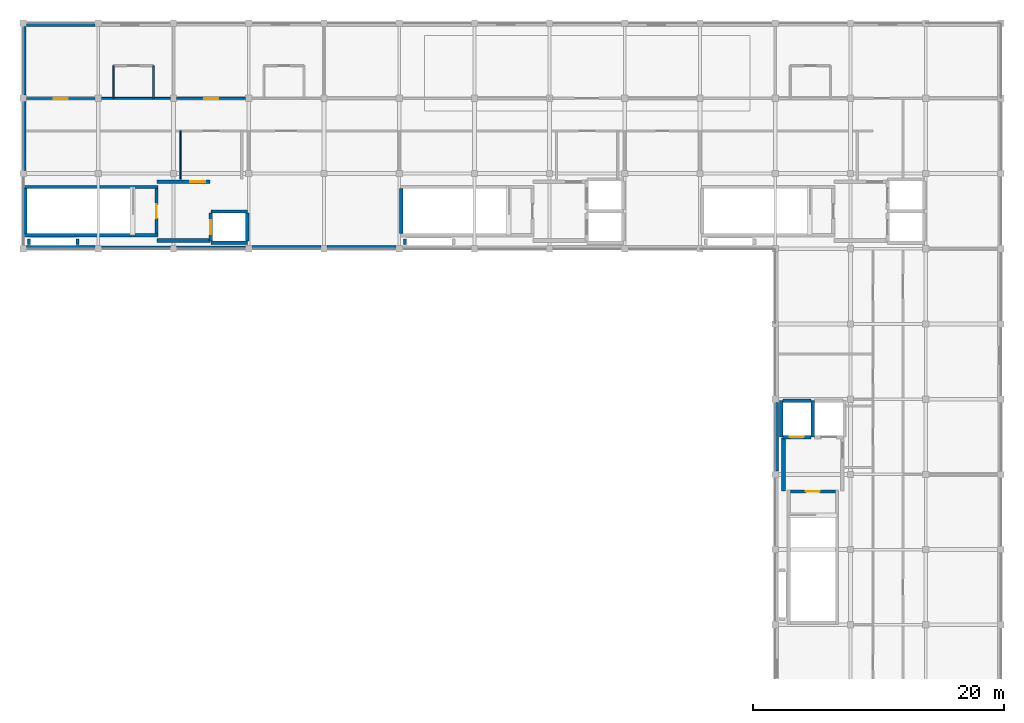
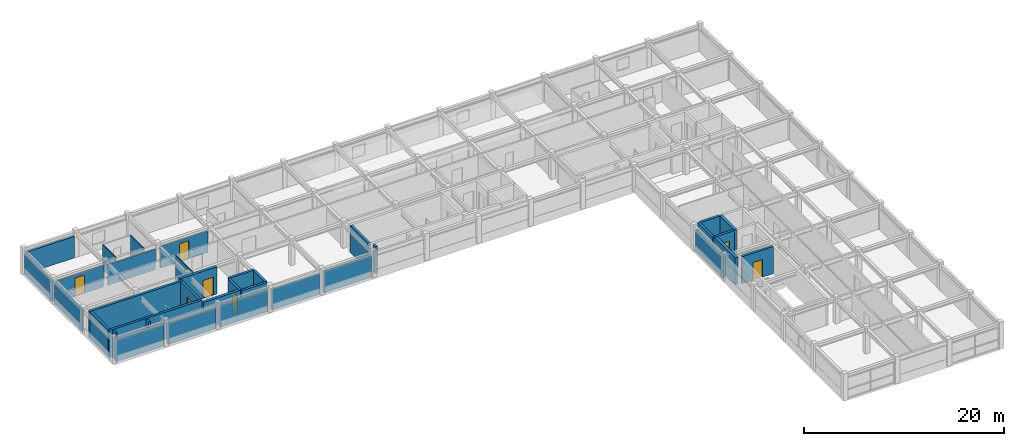
# One storey, part 6 of 11: 35 walls, 7 doors, 7 openings.
"""IFC4 building model written with IfcOpenShell, lengths in metres."""

from ifc_helpers import new_model, si_unit, direction, frame, frame_2d, origin, place, context, subcontext, project, spatial, rectangle, extrude, material, layer, layer_set, type_object, element, fill, save


model = new_model("IFC4")

# Units and contexts
model_context = context("Model", 3, precision=1e-05, world=origin(), true_north=direction((0.0, 1.0)))
body_context = subcontext(model_context, "Body", "Model", "MODEL_VIEW")
ifc_project = project(units=[si_unit("LENGTHUNIT", "METRE"), si_unit("AREAUNIT", "SQUARE_METRE"), si_unit("VOLUMEUNIT", "CUBIC_METRE"), si_unit("PLANEANGLEUNIT", "RADIAN"), si_unit("MASSUNIT", "GRAM", prefix="KILO"), si_unit("THERMODYNAMICTEMPERATUREUNIT", "KELVIN"), si_unit("POWERUNIT", "WATT")], contexts=[model_context])

# Site, building, storey
site_placement = place(None, origin())
site = spatial("IfcSite", under=ifc_project, at=site_placement, CompositionType="ELEMENT")
building_placement = place(site_placement, origin())
building = spatial("IfcBuilding", under=site, at=building_placement, Name="Phaisarnlok Congress Hotel", CompositionType="ELEMENT")
storey_placement = place(building_placement, frame((0.0, 0.0, 51.300048828125)))
storey = spatial("IfcBuildingStorey", under=building, at=storey_placement, Name="L13", CompositionType="ELEMENT", Elevation=51.300048828125)

# Walls
ifc_material_1 = material(Name="Concrete C40/50", Category="concrete")
ifc_layer_1 = layer(ifc_material_1, 0.2099609375, Name="Concrete C40/50")
ifc_layer_set_1 = layer_set([ifc_layer_1], Name="Concrete C40/50")
wall_type_1 = type_object("IfcWallType", Name="WL-EXT-210", PredefinedType="SOLIDWALL", material=ifc_layer_set_1)
wall_1_placement = place(storey_placement, frame((102.10498046875, 119.7451171875, 0.0), z_axis=(0.0, 0.0, 1.0), x_axis=(0.0, -1.0, 0.0)))
element("IfcWall", 1, at=wall_1_placement, inside=storey, type_object=wall_type_1, Name="Exterior wall EW-07 (L13)", PredefinedType="SOLIDWALL", context=body_context, shape_type="SweptSolid", body=[
    extrude(rectangle(XDim=5.490234375, YDim=0.2099609375, at=frame_2d((2.7451171875, 0.0))), origin(), (0.0, 0.0, 1.0), 2.60986328125),
])
wall_2_placement = place(storey_placement, frame((114.2548828125, 108.10498046875, 0.0), z_axis=(0.0, 0.0, 1.0), x_axis=(1.0, 0.0, 0.0)))
element("IfcWall", 2, at=wall_2_placement, inside=storey, type_object=wall_type_1, Name="Exterior wall EW-07 (L13)", PredefinedType="SOLIDWALL", context=body_context, shape_type="SweptSolid", body=[
    extrude(rectangle(XDim=5.490234375, YDim=0.2099609375, at=frame_2d((2.7451171875, 0.0))), origin(), (0.0, 0.0, 1.0), 2.619873046875),
])
ifc_layer_2 = layer(ifc_material_1, 0.22998046875, Name="Concrete C40/50")
ifc_layer_set_2 = layer_set([ifc_layer_2], Name="Concrete C40/50")
wall_type_2 = type_object("IfcWallType", Name="WL-EXT-230", PredefinedType="SOLIDWALL", material=ifc_layer_set_2)
wall_3_placement = place(storey_placement, frame((102.114990234375, 125.7451171875, 0.0), z_axis=(0.0, 0.0, 1.0), x_axis=(0.0, -1.0, 0.0)))
element("IfcWall", 3, at=wall_3_placement, inside=storey, type_object=wall_type_2, Name="Exterior wall EW-06 (L13)", PredefinedType="SOLIDWALL", context=body_context, shape_type="SweptSolid", body=[
    extrude(rectangle(XDim=5.490234375, YDim=0.22998046875, at=frame_2d((2.7451171875, 0.0))), origin(), (0.0, 0.0, 1.0), 2.4599609375),
])
wall_4_placement = place(storey_placement, frame((108.2548828125, 108.114990234375, 0.0), z_axis=(0.0, 0.0, 1.0), x_axis=(1.0, 0.0, 0.0)))
element("IfcWall", 4, at=wall_4_placement, inside=storey, type_object=wall_type_2, Name="Exterior wall EW-06 (L13)", PredefinedType="SOLIDWALL", context=body_context, shape_type="SweptSolid", body=[
    extrude(rectangle(XDim=5.490234375, YDim=0.22998046875, at=frame_2d((2.7451171875, 0.0))), origin(), (0.0, 0.0, 1.0), 2.510009765625),
])
ifc_layer_3 = layer(ifc_material_1, 0.25, Name="Concrete C40/50")
ifc_layer_set_3 = layer_set([ifc_layer_3], Name="Concrete C40/50")
wall_type_3 = type_object("IfcWallType", Name="WL-EXT-250", PredefinedType="SOLIDWALL", material=ifc_layer_set_3)
for number, where, z_axis, x_axis, name in (
    (5, (107.7451171875, 125.875, 0.0), (0.0, 0.0, 1.0), (-1.0, 0.0, 0.0), "Exterior wall EW-05 (L13)"),
    (6, (102.2548828125, 108.125, 0.0), (0.0, 0.0, 1.0), (1.0, 0.0, 0.0), "Exterior wall EW-05 (L13)"),
    (7, (126.2548828125, 108.125, 0.0), (0.0, 0.0, 1.0), (1.0, 0.0, 0.0), "Exterior wall EW-05 (L13)"),
):
    element("IfcWall", number, at=place(storey_placement, frame(where, z_axis=z_axis, x_axis=x_axis)), inside=storey, type_object=wall_type_3, Name=name, PredefinedType="SOLIDWALL", context=body_context, shape_type="SweptSolid", body=[
        extrude(rectangle(XDim=5.490234375, YDim=0.25, at=frame_2d((2.7451171875, 0.0))), origin(), (0.0, 0.0, 1.0), 2.619873046875),
    ])
wall_5_placement = place(storey_placement, frame((162.125, 95.7451171875, 0.0), z_axis=(0.0, 0.0, 1.0), x_axis=(0.0, -1.0, 0.0)))
element("IfcWall", 8, at=wall_5_placement, inside=storey, type_object=wall_type_3, Name="Exterior wall EW-05 (L13)", PredefinedType="SOLIDWALL", context=body_context, shape_type="SweptSolid", body=[
    extrude(rectangle(XDim=5.490234375, YDim=0.25, at=frame_2d((2.7451171875, 0.0))), origin(), (0.0, 0.0, 1.0), 2.60986328125),
])
ifc_layer_4 = layer(ifc_material_1, 0.27001953125, Name="Concrete C40/50")
ifc_layer_set_4 = layer_set([ifc_layer_4], Name="Concrete C40/50")
wall_type_4 = type_object("IfcWallType", Name="WL-EXT-270", PredefinedType="SOLIDWALL", material=ifc_layer_set_4)
wall_6_placement = place(storey_placement, frame((120.2548828125, 108.135009765625, 0.0), z_axis=(0.0, 0.0, 1.0), x_axis=(1.0, 0.0, 0.0)))
element("IfcWall", 9, at=wall_6_placement, inside=storey, type_object=wall_type_4, Name="Exterior wall EW-04 (L13)", PredefinedType="SOLIDWALL", context=body_context, shape_type="SweptSolid", body=[
    extrude(rectangle(XDim=5.490234375, YDim=0.27001953125, at=frame_2d((2.7451171875, 0.0))), origin(), (0.0, 0.0, 1.0), 2.510009765625),
])
ifc_material_2 = material(Name="Service Riser Shaftwall Partition", Category="gypsum")
ifc_layer_5 = layer(ifc_material_2, 0.10498046875, Name="Service Riser Shaftwall Partition")
ifc_layer_set_5 = layer_set([ifc_layer_5], Name="Service Riser Shaftwall Partition")
wall_type_5 = type_object("IfcWallType", Name="WL-INT-105", PredefinedType="PARTITIONING", material=ifc_layer_set_5)
wall_7_placement = place(storey_placement, frame((114.550048828125, 113.56005859375, 0.0), z_axis=(0.0, 0.0, 1.0), x_axis=(0.0, 1.0, 0.0)))
element("IfcWall", 10, at=wall_7_placement, inside=storey, type_object=wall_type_5, Name="Interior partition wall IW-08 (L13)", PredefinedType="PARTITIONING", context=body_context, shape_type="SweptSolid", body=[
    extrude(rectangle(XDim=3.83984375, YDim=0.10498046875, at=frame_2d((1.919921875, 0.0))), origin(), (0.0, 0.0, 1.0), 3.06005859375),
])
ifc_material_3 = material(Name="Lightweight Metal-Stud Gypsum Partition", Category="gypsum")
ifc_layer_6 = layer(ifc_material_3, 0.1201171875, Name="Lightweight Metal-Stud Gypsum Partition")
ifc_layer_set_6 = layer_set([ifc_layer_6], Name="Lightweight Metal-Stud Gypsum Partition")
wall_type_6 = type_object("IfcWallType", Name="WL-INT-120", PredefinedType="PARTITIONING", material=ifc_layer_set_6)
wall_8_placement = place(storey_placement, frame((109.199951171875, 120.0, 0.0), z_axis=(0.0, 0.0, 1.0), x_axis=(0.0, 1.0, 0.0)))
element("IfcWall", 11, at=wall_8_placement, inside=storey, type_object=wall_type_6, Name="Interior partition wall IW-07 (L13)", PredefinedType="PARTITIONING", context=body_context, shape_type="SweptSolid", body=[
    extrude(rectangle(XDim=2.60009765625, YDim=0.1201171875, at=frame_2d((1.300048828125, 0.0))), origin(), (0.0, 0.0, 1.0), 3.06005859375),
])
ifc_material_4 = material(Name="Moisture-Resistant Gypsum Partition", Category="gypsum")
ifc_layer_7 = layer(ifc_material_4, 0.135009765625, Name="Moisture-Resistant Gypsum Partition")
ifc_layer_set_7 = layer_set([ifc_layer_7], Name="Moisture-Resistant Gypsum Partition")
wall_type_7 = type_object("IfcWallType", Name="WL-INT-135", PredefinedType="PARTITIONING", material=ifc_layer_set_7)
wall_9_placement = place(storey_placement, frame((112.39990234375, 120.0, 0.0), z_axis=(0.0, 0.0, 1.0), x_axis=(0.0, 1.0, 0.0)))
element("IfcWall", 12, at=wall_9_placement, inside=storey, type_object=wall_type_7, Name="Interior partition wall IW-06 (L13)", PredefinedType="PARTITIONING", context=body_context, shape_type="SweptSolid", body=[
    extrude(rectangle(XDim=2.60009765625, YDim=0.135009765625, at=frame_2d((1.300048828125, 0.0))), origin(), (0.0, 0.0, 1.0), 3.06005859375),
])
ifc_material_5 = material(Name="Acoustic Gypsum Board & Mineral Wool", Category="gypsum")
ifc_layer_8 = layer(ifc_material_5, 0.14990234375, Name="Acoustic Gypsum Board & Mineral Wool")
ifc_layer_set_8 = layer_set([ifc_layer_8], Name="Acoustic Gypsum Board & Mineral Wool")
wall_type_8 = type_object("IfcWallType", Name="WL-INT-150", PredefinedType="PARTITIONING", material=ifc_layer_set_8)
wall_10_placement = place(storey_placement, frame((108.2548828125, 120.0, 0.0), z_axis=(0.0, 0.0, 1.0), x_axis=(1.0, 0.0, 0.0)))
element("IfcWall", 13, at=wall_10_placement, inside=storey, type_object=wall_type_8, Name="Interior partition wall IW-05 (L13)", PredefinedType="PARTITIONING", context=body_context, shape_type="SweptSolid", body=[
    extrude(rectangle(XDim=5.490234375, YDim=0.14990234375, at=frame_2d((2.7451171875, 0.0))), origin(), (0.0, 0.0, 1.0), 2.510009765625),
])

# Wall, opening, door
ifc_material_6 = material(Name="Double-Stud Acoustic Gypsum Partition", Category="gypsum")
ifc_layer_9 = layer(ifc_material_6, 0.159912109375, Name="Double-Stud Acoustic Gypsum Partition")
ifc_layer_set_9 = layer_set([ifc_layer_9], Name="Double-Stud Acoustic Gypsum Partition")
wall_type_9 = type_object("IfcWallType", Name="WL-INT-160", PredefinedType="PARTITIONING", material=ifc_layer_set_9)
wall_11_placement = place(storey_placement, frame((102.280029296875, 120.0, 0.0), z_axis=(0.0, 0.0, 1.0), x_axis=(1.0, 0.0, 0.0)))
wall_11 = element("IfcWall", 14, at=wall_11_placement, inside=storey, type_object=wall_type_9, Name="Interior partition wall IW-04 (L13)", PredefinedType="PARTITIONING", context=body_context, shape_type="SweptSolid", body=[
    extrude(rectangle(XDim=5.465087890625, YDim=0.159912109375, at=frame_2d((2.732421875, 0.0))), origin(), (0.0, 0.0, 1.0), 2.619873046875),
])
opening_1_placement = place(wall_11_placement, frame((2.169921875, 0.0, 0.0)))
opening_1 = element("IfcOpeningElement", 15, at=opening_1_placement, cuts=wall_11, Name="Opening D-0728", PredefinedType="OPENING", context=body_context, shape_type="SweptSolid", body=[
    extrude(rectangle(XDim=1.10009765625, YDim=2.199951171875, at=frame_2d((0.550048828125, 1.10009765625))), frame((0.0, 0.08984375, 0.0), z_axis=(0.0, -1.0, 0.0), x_axis=(1.0, 0.0, 0.0)), (0.0, 0.0, 1.0), 0.179931640625),
])
ifc_material_7 = material(Name="Acoustic Solid-Core Teak Veneer", Category="wood")
door_type_1 = type_object("IfcDoorType", Name="DR-FD30-1100", OperationType="NOTDEFINED", PredefinedType="DOOR", material=ifc_material_7)
door_1_placement = place(opening_1_placement, origin())
door_1 = element("IfcDoor", 16, at=door_1_placement, inside=storey, type_object=door_type_1, Name="Interior door D-0728 (L13)", OperationType="SINGLE_SWING_LEFT", OverallHeight=2.199951171875, OverallWidth=1.10009765625, PredefinedType="DOOR", context=body_context, shape_type="SweptSolid", body=[
    extrude(rectangle(XDim=1.10009765625, YDim=2.199951171875, at=frame_2d((0.550048828125, 1.10009765625))), frame((0.0, 0.02490234375, 0.0), z_axis=(0.0, -1.0, 0.0), x_axis=(1.0, 0.0, 0.0)), (0.0, 0.0, 1.0), 0.050048828125),
])
fill(opening_1, door_1)

ifc_material_8 = material(Name="Autoclaved Aerated Concrete Block", Category="concrete")
ifc_layer_10 = layer(ifc_material_8, 0.199951171875, Name="Autoclaved Aerated Concrete Block")
ifc_layer_set_10 = layer_set([ifc_layer_10], Name="Autoclaved Aerated Concrete Block")
wall_type_10 = type_object("IfcWallType", Name="WL-INT-200", PredefinedType="PARTITIONING", material=ifc_layer_set_10)
wall_12_placement = place(storey_placement, frame((114.2548828125, 120.0, 0.0), z_axis=(0.0, 0.0, 1.0), x_axis=(1.0, 0.0, 0.0)))
wall_12 = element("IfcWall", 17, at=wall_12_placement, inside=storey, type_object=wall_type_10, Name="Interior partition wall IW-02 (L13)", PredefinedType="PARTITIONING", context=body_context, shape_type="SweptSolid", body=[
    extrude(rectangle(XDim=5.490234375, YDim=0.199951171875, at=frame_2d((2.7451171875, 0.0))), origin(), (0.0, 0.0, 1.0), 2.619873046875),
])
opening_2_placement = place(wall_12_placement, frame((2.195068359375, 0.0, 0.0)))
opening_2 = element("IfcOpeningElement", 18, at=opening_2_placement, cuts=wall_12, Name="Opening D-0730", PredefinedType="OPENING", context=body_context, shape_type="SweptSolid", body=[
    extrude(rectangle(XDim=1.10009765625, YDim=2.199951171875, at=frame_2d((0.550048828125, 1.10009765625))), frame((0.0, 0.10986328125, 0.0), z_axis=(0.0, -1.0, 0.0), x_axis=(1.0, 0.0, 0.0)), (0.0, 0.0, 1.0), 0.219970703125),
])
door_2_placement = place(opening_2_placement, origin())
door_2 = element("IfcDoor", 19, at=door_2_placement, inside=storey, type_object=door_type_1, Name="Interior door D-0730 (L13)", OperationType="SINGLE_SWING_LEFT", OverallHeight=2.199951171875, OverallWidth=1.10009765625, PredefinedType="DOOR", context=body_context, shape_type="SweptSolid", body=[
    extrude(rectangle(XDim=1.10009765625, YDim=2.199951171875, at=frame_2d((0.550048828125, 1.10009765625))), frame((0.0, 0.02490234375, 0.0), z_axis=(0.0, -1.0, 0.0), x_axis=(1.0, 0.0, 0.0)), (0.0, 0.0, 1.0), 0.050048828125),
])
fill(opening_2, door_2)

# Walls
ifc_material_9 = material(Name="Concrete C50/60", Category="concrete")
ifc_layer_11 = layer(ifc_material_9, 0.260009765625, Name="Concrete C50/60")
ifc_layer_set_11 = layer_set([ifc_layer_11], Name="Concrete C50/60")
wall_type_11 = type_object("IfcWallType", Name="WL-SHR-260", PredefinedType="SHEAR", material=ifc_layer_set_11)
wall_13_placement = place(storey_placement, frame((132.169921875, 109.199951171875, 0.0), z_axis=(0.0, 0.0, 1.0), x_axis=(0.0, 1.0, 0.0)))
element("IfcWall", 20, at=wall_13_placement, inside=storey, type_object=wall_type_11, Name="Stair shaft shear wall SW-04 (CORE-2 L13)", PredefinedType="SHEAR", context=body_context, shape_type="SweptSolid", body=[
    extrude(rectangle(XDim=3.60009765625, YDim=0.260009765625, at=frame_2d((1.800048828125, 0.0))), origin(), (0.0, 0.0, 1.0), 3.300048828125),
])
wall_14_placement = place(storey_placement, frame((132.469970703125, 108.330078125, 0.0), z_axis=(0.0, 0.0, 1.0), x_axis=(0.0, 1.0, 0.0)))
element("IfcWall", 21, at=wall_14_placement, inside=storey, type_object=wall_type_11, Name="Service riser shaft wall SW-04 (CORE-2 L13)", PredefinedType="SHEAR", context=body_context, shape_type="SweptSolid", body=[
    extrude(rectangle(XDim=0.43994140625, YDim=0.260009765625, at=frame_2d((0.219970703125, 0.0))), origin(), (0.0, 0.0, 1.0), 3.300048828125),
])

# Wall, opening, door
wall_15_placement = place(storey_placement, frame((163.199951171875, 88.6298828125, 0.0), z_axis=(0.0, 0.0, 1.0), x_axis=(1.0, 0.0, 0.0)))
wall_15 = element("IfcWall", 22, at=wall_15_placement, inside=storey, type_object=wall_type_11, Name="Stair shaft shear wall SW-04 (CORE-3 L13)", PredefinedType="SHEAR", context=body_context, shape_type="SweptSolid", body=[
    extrude(rectangle(XDim=3.60009765625, YDim=0.260009765625, at=frame_2d((1.800048828125, 0.0))), origin(), (0.0, 0.0, 1.0), 3.300048828125),
])
opening_3_placement = place(wall_15_placement, frame((1.25, 0.0, 0.0)))
opening_3 = element("IfcOpeningElement", 23, at=opening_3_placement, cuts=wall_15, Name="Opening FD-075", PredefinedType="OPENING", context=body_context, shape_type="SweptSolid", body=[
    extrude(rectangle(XDim=1.10009765625, YDim=2.14990234375, at=frame_2d((0.550048828125, 1.074951171875))), frame((0.0, 0.14013671875, 0.0), z_axis=(0.0, -1.0, 0.0), x_axis=(1.0, 0.0, 0.0)), (0.0, 0.0, 1.0), 0.280029296875),
])
ifc_material_10 = material(Name="Fire-Rated Steel Frame & Timber Leaf", Category="steel")
door_type_2 = type_object("IfcDoorType", Name="DR-FD60-1100", OperationType="NOTDEFINED", PredefinedType="DOOR", material=ifc_material_10)
door_3_placement = place(opening_3_placement, origin())
door_3 = element("IfcDoor", 24, at=door_3_placement, inside=storey, type_object=door_type_2, Name="Stair enclosure fire door FD-075 (L13)", OperationType="SINGLE_SWING_RIGHT", OverallHeight=2.14990234375, OverallWidth=1.10009765625, PredefinedType="DOOR", context=body_context, shape_type="SweptSolid", body=[
    extrude(rectangle(XDim=1.10009765625, YDim=2.14990234375, at=frame_2d((0.550048828125, 1.074951171875))), frame((0.0, 0.02490234375, 0.0), z_axis=(0.0, -1.0, 0.0), x_axis=(1.0, 0.0, 0.0)), (0.0, 0.0, 1.0), 0.050048828125),
])
fill(opening_3, door_3)

# Walls
wall_16_placement = place(storey_placement, frame((162.469970703125, 92.969970703125, 0.0), z_axis=(0.0, 0.0, 1.0), x_axis=(0.0, 1.0, 0.0)))
element("IfcWall", 25, at=wall_16_placement, inside=storey, type_object=wall_type_11, Name="Lift shaft shear wall SW-04 (LF-HP3 L13)", PredefinedType="SHEAR", context=body_context, shape_type="SweptSolid", body=[
    extrude(rectangle(XDim=2.909912109375, YDim=0.260009765625, at=frame_2d((1.455078125, 0.0))), origin(), (0.0, 0.0, 1.0), 3.300048828125),
])
wall_17_placement = place(storey_placement, frame((162.60009765625, 95.8798828125, 0.0), z_axis=(0.0, 0.0, 1.0), x_axis=(1.0, 0.0, 0.0)))
element("IfcWall", 26, at=wall_17_placement, inside=storey, type_object=wall_type_11, Name="Lift shaft shear wall SW-04 (LF-HP3 L13)", PredefinedType="SHEAR", context=body_context, shape_type="SweptSolid", body=[
    extrude(rectangle(XDim=2.25, YDim=0.260009765625, at=frame_2d((1.125, 0.0))), origin(), (0.0, 0.0, 1.0), 3.300048828125),
])

# Wall, opening, door
wall_18_placement = place(storey_placement, frame((162.60009765625, 92.969970703125, 0.0), z_axis=(0.0, 0.0, 1.0), x_axis=(1.0, 0.0, 0.0)))
wall_18 = element("IfcWall", 27, at=wall_18_placement, inside=storey, type_object=wall_type_11, Name="Lift shaft front wall SW-04 (LF-HP3 L13)", PredefinedType="SHEAR", context=body_context, shape_type="SweptSolid", body=[
    extrude(rectangle(XDim=2.25, YDim=0.260009765625, at=frame_2d((1.125, 0.0))), origin(), (0.0, 0.0, 1.0), 3.300048828125),
])
opening_4_placement = place(wall_18_placement, frame((0.574951171875, 0.0, 0.0)))
opening_4 = element("IfcOpeningElement", 28, at=opening_4_placement, cuts=wall_18, Name="Opening LD-075", PredefinedType="OPENING", context=body_context, shape_type="SweptSolid", body=[
    extrude(rectangle(XDim=1.10009765625, YDim=2.199951171875, at=frame_2d((0.550048828125, 1.10009765625))), frame((0.0, 0.14013671875, 0.0), z_axis=(0.0, -1.0, 0.0), x_axis=(1.0, 0.0, 0.0)), (0.0, 0.0, 1.0), 0.280029296875),
])
ifc_material_11 = material(Name="Brushed Stainless Steel Grade 304", Category="steel")
door_type_3 = type_object("IfcDoorType", Name="DR-LD-1100", OperationType="DOUBLE_DOOR_SLIDING", PredefinedType="DOOR", material=ifc_material_11)
door_4_placement = place(opening_4_placement, origin())
door_4 = element("IfcDoor", 29, at=door_4_placement, inside=storey, type_object=door_type_3, Name="Lift landing sliding door LD-075 (LF-HP3 L13)", OperationType="DOUBLE_DOOR_SLIDING", OverallHeight=2.199951171875, OverallWidth=1.10009765625, PredefinedType="DOOR", context=body_context, shape_type="SweptSolid", body=[
    extrude(rectangle(XDim=1.10009765625, YDim=2.199951171875, at=frame_2d((0.550048828125, 1.10009765625))), frame((0.0, 0.02490234375, 0.0), z_axis=(0.0, -1.0, 0.0), x_axis=(1.0, 0.0, 0.0)), (0.0, 0.0, 1.0), 0.050048828125),
])
fill(opening_4, door_4)

# Walls
for number, where, z_axis, x_axis, name in (
    (30, (102.0400390625, 109.070068359375, 0.0), (0.0, 0.0, 1.0), (1.0, 0.0, 0.0), "Stair shaft shear wall SW-04 (CORE-4 L13)"),
    (31, (102.0400390625, 112.929931640625, 0.0), (0.0, 0.0, 1.0), (1.0, 0.0, 0.0), "Stair shaft shear wall SW-04 (CORE-4 L13)"),
):
    element("IfcWall", number, at=place(storey_placement, frame(where, z_axis=z_axis, x_axis=x_axis)), inside=storey, type_object=wall_type_11, Name=name, PredefinedType="SHEAR", context=body_context, shape_type="SweptSolid", body=[
        extrude(rectangle(XDim=10.719970703125, YDim=0.260009765625, at=frame_2d((5.35986328125, 0.0))), origin(), (0.0, 0.0, 1.0), 3.300048828125),
    ])

# Wall, opening, door
wall_19_placement = place(storey_placement, frame((112.6298828125, 109.199951171875, 0.0), z_axis=(0.0, 0.0, 1.0), x_axis=(0.0, 1.0, 0.0)))
wall_19 = element("IfcWall", 32, at=wall_19_placement, inside=storey, type_object=wall_type_11, Name="Stair shaft shear wall SW-04 (CORE-4 L13)", PredefinedType="SHEAR", context=body_context, shape_type="SweptSolid", body=[
    extrude(rectangle(XDim=3.60009765625, YDim=0.260009765625, at=frame_2d((1.800048828125, 0.0))), origin(), (0.0, 0.0, 1.0), 3.300048828125),
])
opening_5_placement = place(wall_19_placement, frame((1.25, 0.0, 0.0)))
opening_5 = element("IfcOpeningElement", 33, at=opening_5_placement, cuts=wall_19, Name="Opening FD-105", PredefinedType="OPENING", context=body_context, shape_type="SweptSolid", body=[
    extrude(rectangle(XDim=1.10009765625, YDim=2.14990234375, at=frame_2d((0.550048828125, 1.074951171875))), frame((0.0, 0.14013671875, 0.0), z_axis=(0.0, -1.0, 0.0), x_axis=(1.0, 0.0, 0.0)), (0.0, 0.0, 1.0), 0.280029296875),
])
door_5_placement = place(opening_5_placement, origin())
door_5 = element("IfcDoor", 34, at=door_5_placement, inside=storey, type_object=door_type_2, Name="Stair enclosure fire door FD-105 (L13)", OperationType="SINGLE_SWING_RIGHT", OverallHeight=2.14990234375, OverallWidth=1.10009765625, PredefinedType="DOOR", context=body_context, shape_type="SweptSolid", body=[
    extrude(rectangle(XDim=1.10009765625, YDim=2.14990234375, at=frame_2d((0.550048828125, 1.074951171875))), frame((0.0, 0.02490234375, 0.0), z_axis=(0.0, -1.0, 0.0), x_axis=(1.0, 0.0, 0.0)), (0.0, 0.0, 1.0), 0.050048828125),
])
fill(opening_5, door_5)

# Walls
for number, where, z_axis, x_axis, name in (
    (35, (116.969970703125, 108.469970703125, 0.0), (0.0, 0.0, 1.0), (1.0, 0.0, 0.0), "Lift shaft shear wall SW-04 (LF-HP4 L13)"),
    (36, (116.969970703125, 110.97998046875, 0.0), (0.0, 0.0, 1.0), (1.0, 0.0, 0.0), "Lift shaft shear wall SW-04 (LF-HP4 L13)"),
):
    element("IfcWall", number, at=place(storey_placement, frame(where, z_axis=z_axis, x_axis=x_axis)), inside=storey, type_object=wall_type_11, Name=name, PredefinedType="SHEAR", context=body_context, shape_type="SweptSolid", body=[
        extrude(rectangle(XDim=2.909912109375, YDim=0.260009765625, at=frame_2d((1.455078125, 0.0))), origin(), (0.0, 0.0, 1.0), 3.300048828125),
    ])
wall_20_placement = place(storey_placement, frame((119.8798828125, 108.60009765625, 0.0), z_axis=(0.0, 0.0, 1.0), x_axis=(0.0, 1.0, 0.0)))
element("IfcWall", 37, at=wall_20_placement, inside=storey, type_object=wall_type_11, Name="Lift shaft shear wall SW-04 (LF-HP4 L13)", PredefinedType="SHEAR", context=body_context, shape_type="SweptSolid", body=[
    extrude(rectangle(XDim=2.25, YDim=0.260009765625, at=frame_2d((1.125, 0.0))), origin(), (0.0, 0.0, 1.0), 3.300048828125),
])

# Wall, opening, door
wall_21_placement = place(storey_placement, frame((116.969970703125, 108.60009765625, 0.0), z_axis=(0.0, 0.0, 1.0), x_axis=(0.0, 1.0, 0.0)))
wall_21 = element("IfcWall", 38, at=wall_21_placement, inside=storey, type_object=wall_type_11, Name="Lift shaft front wall SW-04 (LF-HP4 L13)", PredefinedType="SHEAR", context=body_context, shape_type="SweptSolid", body=[
    extrude(rectangle(XDim=2.25, YDim=0.260009765625, at=frame_2d((1.125, 0.0))), origin(), (0.0, 0.0, 1.0), 3.300048828125),
])
opening_6_placement = place(wall_21_placement, frame((0.574951171875, 0.0, 0.0)))
opening_6 = element("IfcOpeningElement", 39, at=opening_6_placement, cuts=wall_21, Name="Opening LD-105", PredefinedType="OPENING", context=body_context, shape_type="SweptSolid", body=[
    extrude(rectangle(XDim=1.10009765625, YDim=2.199951171875, at=frame_2d((0.550048828125, 1.10009765625))), frame((0.0, 0.14013671875, 0.0), z_axis=(0.0, -1.0, 0.0), x_axis=(1.0, 0.0, 0.0)), (0.0, 0.0, 1.0), 0.280029296875),
])
door_6_placement = place(opening_6_placement, origin())
door_6 = element("IfcDoor", 40, at=door_6_placement, inside=storey, type_object=door_type_3, Name="Lift landing sliding door LD-105 (LF-HP4 L13)", OperationType="DOUBLE_DOOR_SLIDING", OverallHeight=2.199951171875, OverallWidth=1.10009765625, PredefinedType="DOOR", context=body_context, shape_type="SweptSolid", body=[
    extrude(rectangle(XDim=1.10009765625, YDim=2.199951171875, at=frame_2d((0.550048828125, 1.10009765625))), frame((0.0, 0.02490234375, 0.0), z_axis=(0.0, -1.0, 0.0), x_axis=(1.0, 0.0, 0.0)), (0.0, 0.0, 1.0), 0.050048828125),
])
fill(opening_6, door_6)

# Walls
for number, where, z_axis, x_axis, name in (
    (41, (102.469970703125, 108.330078125, 0.0), (0.0, 0.0, 1.0), (0.0, 1.0, 0.0), "Service riser shaft wall SW-04 (CORE-4 L13)"),
    (42, (106.330078125, 108.330078125, 0.0), (0.0, 0.0, 1.0), (0.0, 1.0, 0.0), "Service riser shaft wall SW-04 (CORE-4 L13)"),
):
    element("IfcWall", number, at=place(storey_placement, frame(where, z_axis=z_axis, x_axis=x_axis)), inside=storey, type_object=wall_type_11, Name=name, PredefinedType="SHEAR", context=body_context, shape_type="SweptSolid", body=[
        extrude(rectangle(XDim=0.43994140625, YDim=0.260009765625, at=frame_2d((0.219970703125, 0.0))), origin(), (0.0, 0.0, 1.0), 3.300048828125),
    ])
ifc_layer_12 = layer(ifc_material_9, 0.260009765625, Name="Concrete C50/60")
ifc_layer_set_12 = layer_set([ifc_layer_12], Name="Concrete C50/60")
wall_type_12 = type_object("IfcWallType", Name="WL-SHR-260-EXT", PredefinedType="SHEAR", material=ifc_layer_set_12)
wall_22_placement = place(storey_placement, frame((102.169921875, 109.199951171875, 0.0), z_axis=(0.0, 0.0, 1.0), x_axis=(0.0, 1.0, 0.0)))
element("IfcWall", 43, at=wall_22_placement, inside=storey, type_object=wall_type_12, Name="Stair shaft shear wall SW-04E (CORE-4 L13)", PredefinedType="SHEAR", context=body_context, shape_type="SweptSolid", body=[
    extrude(rectangle(XDim=3.60009765625, YDim=0.260009765625, at=frame_2d((1.800048828125, 0.0))), origin(), (0.0, 0.0, 1.0), 3.300048828125),
])
ifc_layer_13 = layer(ifc_material_9, 0.300048828125, Name="Concrete C50/60")
ifc_layer_set_13 = layer_set([ifc_layer_13], Name="Concrete C50/60")
wall_type_13 = type_object("IfcWallType", Name="WL-SHR-300", PredefinedType="SHEAR", material=ifc_layer_set_13)
wall_23_placement = place(storey_placement, frame((165.0, 92.969970703125, 0.0), z_axis=(0.0, 0.0, 1.0), x_axis=(0.0, 1.0, 0.0)))
element("IfcWall", 44, at=wall_23_placement, inside=storey, type_object=wall_type_13, Name="Lift shaft divider shear wall SW-03 (LF-HP3 L13)", PredefinedType="SHEAR", context=body_context, shape_type="SweptSolid", body=[
    extrude(rectangle(XDim=2.909912109375, YDim=0.300048828125, at=frame_2d((1.455078125, 0.0))), origin(), (0.0, 0.0, 1.0), 3.300048828125),
])
wall_24_placement = place(storey_placement, frame((162.64990234375, 88.679931640625, 0.0), z_axis=(0.0, 0.0, 1.0), x_axis=(0.0, 1.0, 0.0)))
element("IfcWall", 45, at=wall_24_placement, inside=storey, type_object=wall_type_13, Name="Core lobby EI-120 wall SW-03 (CORE-3 L13)", PredefinedType="SHEAR", context=body_context, shape_type="SweptSolid", body=[
    extrude(rectangle(XDim=4.239990234375, YDim=0.300048828125, at=frame_2d((2.1201171875, 0.0))), origin(), (0.0, 0.0, 1.0), 3.300048828125),
])

# Wall, opening, door
wall_25_placement = place(storey_placement, frame((112.679931640625, 113.35009765625, 0.0), z_axis=(0.0, 0.0, 1.0), x_axis=(1.0, 0.0, 0.0)))
wall_25 = element("IfcWall", 46, at=wall_25_placement, inside=storey, type_object=wall_type_13, Name="Core lobby EI-120 wall SW-03 (CORE-4 L13)", PredefinedType="SHEAR", context=body_context, shape_type="SweptSolid", body=[
    extrude(rectangle(XDim=4.239990234375, YDim=0.300048828125, at=frame_2d((2.1201171875, 0.0))), origin(), (0.0, 0.0, 1.0), 3.300048828125),
])
opening_7_placement = place(wall_25_placement, frame((2.64990234375, 0.0, 0.0)))
opening_7 = element("IfcOpeningElement", 47, at=opening_7_placement, cuts=wall_25, Name="Opening FD-120", PredefinedType="OPENING", context=body_context, shape_type="SweptSolid", body=[
    extrude(rectangle(XDim=1.199951171875, YDim=2.199951171875, at=frame_2d((0.60009765625, 1.10009765625))), frame((0.0, 0.16015625, 0.0), z_axis=(0.0, -1.0, 0.0), x_axis=(1.0, 0.0, 0.0)), (0.0, 0.0, 1.0), 0.320068359375),
])
door_type_4 = type_object("IfcDoorType", Name="DR-FD60-1200", OperationType="NOTDEFINED", PredefinedType="DOOR", material=ifc_material_10)
door_7_placement = place(opening_7_placement, origin())
door_7 = element("IfcDoor", 48, at=door_7_placement, inside=storey, type_object=door_type_4, Name="Firefighting lobby entrance door FD-120 (CORE-4 L13)", OperationType="SINGLE_SWING_LEFT", OverallHeight=2.199951171875, OverallWidth=1.199951171875, PredefinedType="DOOR", context=body_context, shape_type="SweptSolid", body=[
    extrude(rectangle(XDim=1.199951171875, YDim=2.199951171875, at=frame_2d((0.60009765625, 1.10009765625))), frame((0.0, 0.02490234375, 0.0), z_axis=(0.0, -1.0, 0.0), x_axis=(1.0, 0.0, 0.0)), (0.0, 0.0, 1.0), 0.050048828125),
])
fill(opening_7, door_7)

# Wall
wall_26_placement = place(storey_placement, frame((112.679931640625, 108.64990234375, 0.0), z_axis=(0.0, 0.0, 1.0), x_axis=(1.0, 0.0, 0.0)))
element("IfcWall", 49, at=wall_26_placement, inside=storey, type_object=wall_type_13, Name="Core lobby EI-120 wall SW-03 (CORE-4 L13)", PredefinedType="SHEAR", context=body_context, shape_type="SweptSolid", body=[
    extrude(rectangle(XDim=4.239990234375, YDim=0.300048828125, at=frame_2d((2.1201171875, 0.0))), origin(), (0.0, 0.0, 1.0), 3.300048828125),
])

save(model, "model.ifc")
